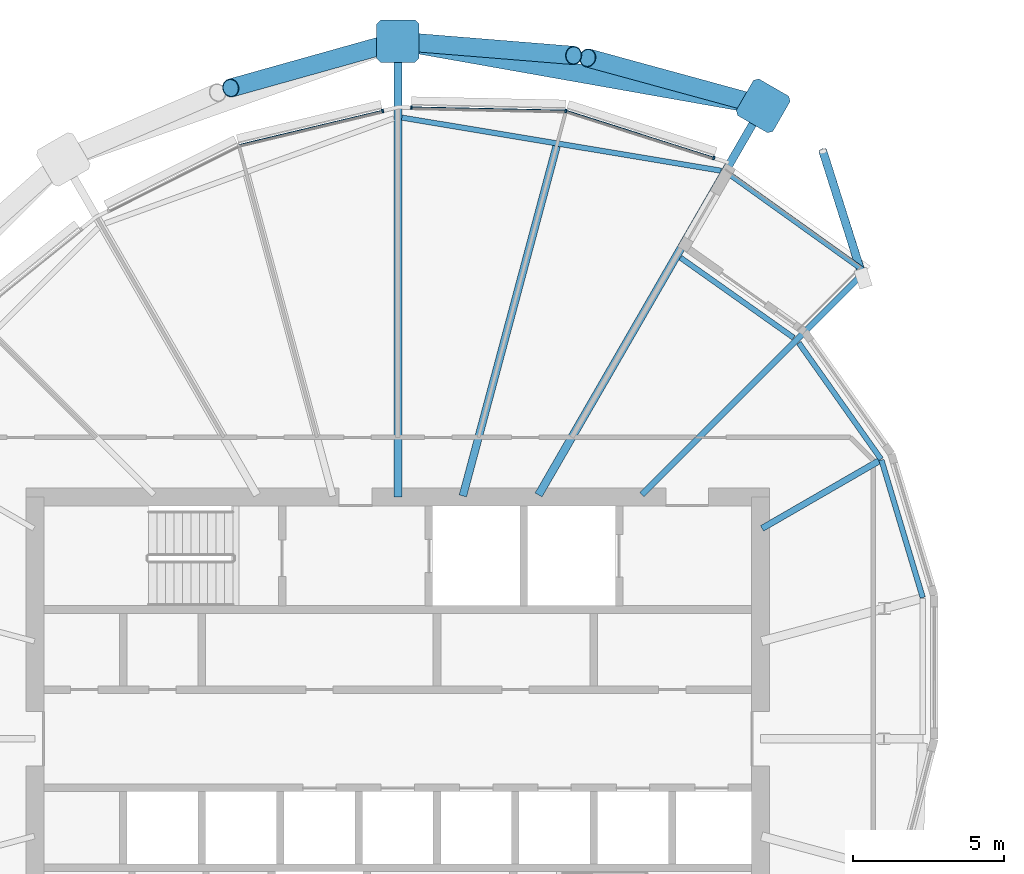
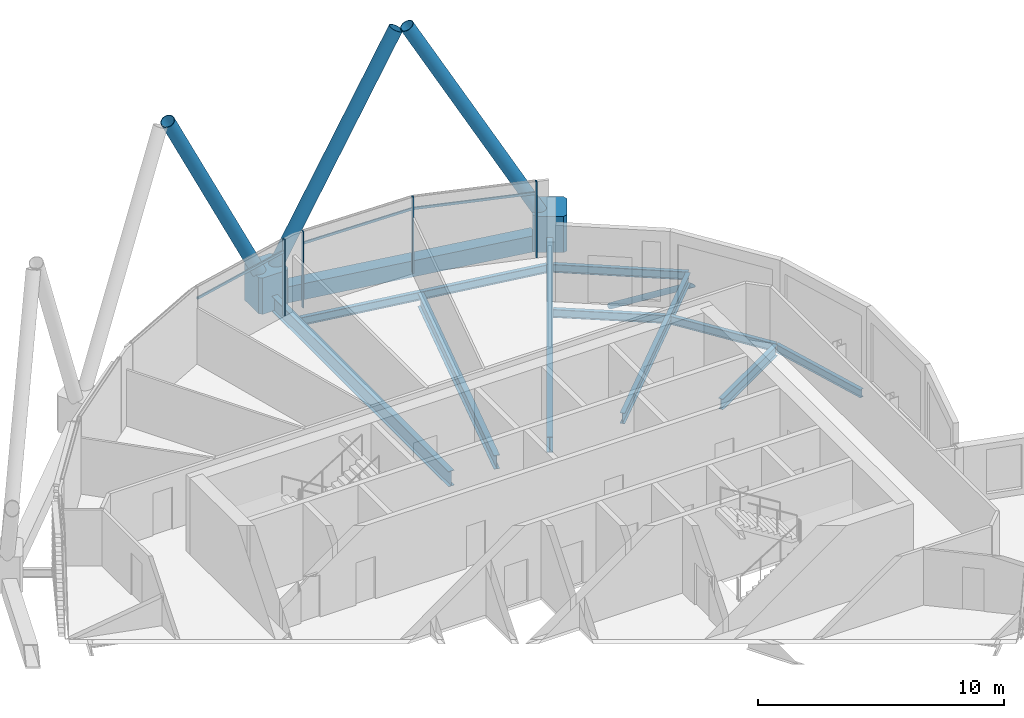
# One storey, part 18 of 37: 13 members, 11 beams, 1 element without a shape of its own.
"""IFC4 building model written with IfcOpenShell, lengths in metres."""

from ifc_helpers import new_model, si_unit, direction, frame, origin, origin_2d, place, context, subcontext, project, spatial, polyline, rectangle, hollow_rectangle, hollow_circle, i_section, outline, extrude, clip, halfspace, material, material_profile, profile_set, type_object, element, aggregate, save


model = new_model("IFC4")

# Units and contexts
model_context = context("Model", 3, precision=1e-05, world=origin(), true_north=direction((0.0, 1.0)))
body_context = subcontext(model_context, "Body", "Model", "MODEL_VIEW")
ifc_project = project(units=[si_unit("LENGTHUNIT", "METRE"), si_unit("AREAUNIT", "SQUARE_METRE"), si_unit("VOLUMEUNIT", "CUBIC_METRE"), si_unit("PLANEANGLEUNIT", "RADIAN"), si_unit("MASSUNIT", "GRAM", prefix="KILO")], contexts=[model_context])

# Site, building, storey
site_placement = place(None, origin())
site = spatial("IfcSite", under=ifc_project, at=site_placement, CompositionType="ELEMENT")
building_placement = place(site_placement, origin())
building = spatial("IfcBuilding", under=site, at=building_placement, Name="Rimbun Link Towers", CompositionType="ELEMENT")
storey_placement = place(building_placement, frame((0.0, 0.0, 170.300048828125)))
storey = spatial("IfcBuildingStorey", under=building, at=storey_placement, Name="L41", CompositionType="ELEMENT", Elevation=170.300048828125)

# Curtain wall, members
ifc_material_1 = material(Name="Aluminium 6063-T6 and low-iron glass", Category="aluminium")
curtain_wall_type = type_object("IfcCurtainWallType", Name="CW1-Z3 unitised vision wall (zone 3)", PredefinedType="NOTDEFINED", material=ifc_material_1)
curtain_wall_placement = place(storey_placement, origin())
curtain_wall = element("IfcCurtainWall", 1, at=curtain_wall_placement, inside=storey, type_object=curtain_wall_type, Name="CW1 L41 T2", PredefinedType="NOTDEFINED")
ifc_material_2 = material(Name="Aluminium 6063-T6", Category="aluminium")
ifc_material_profile_1 = material_profile(ifc_material_2, rectangle(XDim=0.1201171875, YDim=0.06005859375, at=origin_2d()), Name="MULLION 60X120")
ifc_profile_set_1 = profile_set([ifc_material_profile_1], Name="Aluminium 6063-T6")
member_type_1 = type_object("IfcMemberType", Name="CW1 mullion 60X120", PredefinedType="MULLION", material=ifc_profile_set_1)
member_1_placement = place(storey_placement, frame((37.310791015625, 20.775390625, 0.0), z_axis=(0.0, 0.0, 1.0), x_axis=(0.163742714165, 0.986503078332, 0.0)))
member_1 = element("IfcMember", 2, at=member_1_placement, type_object=member_type_1, Name="CW1 mullion", PredefinedType="MULLION", context=body_context, shape_type="SweptSolid", body=[
    extrude(rectangle(XDim=0.1201171875, YDim=0.06005859375, at=origin_2d()), origin(), (0.0, 0.0, 1.0), 3.800048828125),
])
member_2_placement = place(storey_placement, frame((42.210205078125, 19.2177734375, 0.0), z_axis=(0.0, 0.0, 1.0), x_axis=(0.303067824946, 0.952968988731, 0.0)))
member_2 = element("IfcMember", 3, at=member_2_placement, type_object=member_type_1, Name="CW1 mullion", PredefinedType="MULLION", context=body_context, shape_type="SweptSolid", body=[
    extrude(rectangle(XDim=0.1201171875, YDim=0.06005859375, at=origin_2d()), origin(), (0.0, 0.0, 1.0), 3.800048828125),
])
member_3_placement = place(storey_placement, frame((32.201171875, 20.883544921875, 0.0), z_axis=(0.0, 0.0, 1.0), x_axis=(0.021054979477, 0.999778319348, 0.0)))
member_3 = element("IfcMember", 4, at=member_3_placement, type_object=member_type_1, Name="CW1 mullion", PredefinedType="MULLION", context=body_context, shape_type="SweptSolid", body=[
    extrude(rectangle(XDim=0.1201171875, YDim=0.06005859375, at=origin_2d()), origin(), (0.0, 0.0, 1.0), 3.800048828125),
])
member_4_placement = place(storey_placement, frame((31.249755859375, 20.775146484375, 0.0), z_axis=(0.0, 0.0, 1.0), x_axis=(-0.232594562001, 0.972573786264, 0.0)))
member_4 = element("IfcMember", 5, at=member_4_placement, type_object=member_type_1, Name="CW1 mullion", PredefinedType="MULLION", context=body_context, shape_type="SweptSolid", body=[
    extrude(rectangle(XDim=0.1201171875, YDim=0.06005859375, at=origin_2d()), origin(), (0.0, 0.0, 1.0), 3.800048828125),
])
ifc_material_3 = material(Name="Aluminium 6063-T6", Category="aluminium")
ifc_material_profile_2 = material_profile(ifc_material_3, rectangle(XDim=0.06005859375, YDim=0.1201171875, at=origin_2d()), Name="TRANSOM 60X120")
ifc_profile_set_2 = profile_set([ifc_material_profile_2], Name="Aluminium 6063-T6")
member_type_2 = type_object("IfcMemberType", Name="CW1 transom 60X120", PredefinedType="USERDEFINED", material=ifc_profile_set_2)
member_5_placement = place(storey_placement, frame((37.34716796875, 20.762451171875, 3.199951171875), z_axis=(0.952967489395, -0.30307253943, 0.0), x_axis=(0.30307253943, 0.952967489395, 0.0)))
member_5 = element("IfcMember", 6, at=member_5_placement, type_object=member_type_2, Name="CW1 transom", ObjectType="TRANSOM", PredefinedType="USERDEFINED", context=body_context, shape_type="SweptSolid", body=[
    extrude(rectangle(XDim=0.06005859375, YDim=0.1201171875, at=origin_2d()), origin(), (0.0, 0.0, 1.0), 5.072509765625),
])
member_6_placement = place(storey_placement, frame((32.231201171875, 20.880859375, 3.199951171875), z_axis=(0.999779174305, -0.021014343358, 0.0), x_axis=(0.021014343358, 0.999779174305, 0.0)))
member_6 = element("IfcMember", 7, at=member_6_placement, type_object=member_type_2, Name="CW1 transom", ObjectType="TRANSOM", PredefinedType="USERDEFINED", context=body_context, shape_type="SweptSolid", body=[
    extrude(rectangle(XDim=0.06005859375, YDim=0.1201171875, at=origin_2d()), origin(), (0.0, 0.0, 1.0), 5.042236328125),
])
member_7_placement = place(storey_placement, frame((26.519775390625, 19.641845703125, 3.199951171875), z_axis=(0.972575414488, 0.23258775362, 0.0), x_axis=(-0.23258775362, 0.972575414488, 0.0)))
member_7 = element("IfcMember", 8, at=member_7_placement, type_object=member_type_2, Name="CW1 transom", ObjectType="TRANSOM", PredefinedType="USERDEFINED", context=body_context, shape_type="SweptSolid", body=[
    extrude(rectangle(XDim=0.06005859375, YDim=0.1201171875, at=origin_2d()), origin(), (0.0, 0.0, 1.0), 4.833740234375),
])
aggregate(curtain_wall, [member_1, member_2, member_3, member_4, member_5, member_6, member_7])

# Members
ifc_material_4 = material(Name="Steel S355J2H", Category="steel")
ifc_material_profile_3 = material_profile(ifc_material_4, hollow_circle(Radius=0.3046875, WallThickness=0.02490234375, at=origin_2d()), Name="Diagrid diagonal CHS 610x25")
ifc_profile_set_3 = profile_set([ifc_material_profile_3], Name="Steel S355J2H")
member_type_3 = type_object("IfcMemberType", Name="Diagrid diagonal CHS 610x25", PredefinedType="BRACE", material=ifc_profile_set_3)
member_8_placement = place(storey_placement, frame((43.609130859375, 21.006103515625, 0.438232421875), z_axis=(-0.464255548715, 0.126836999314, 0.876572393526), x_axis=(-0.263546433796, -0.964646711099, 0.0)))
element("IfcMember", 9, at=member_8_placement, inside=storey, type_object=member_type_3, Name="Diagrid diagonal T2 L41-L44 01b", PredefinedType="BRACE", context=body_context, shape_type="SweptSolid", body=[
    extrude(hollow_circle(Radius=0.3046875, WallThickness=0.02490234375, at=origin_2d()), origin(), (0.0, 0.0, 1.0), 12.005126953125),
])
member_9_placement = place(storey_placement, frame((31.984375, 23.064208984375, 0.441162109375), z_axis=(0.468652183395, -0.038023188161, 0.882564087282), x_axis=(0.080867344137, 0.996724873098, 0.0)))
element("IfcMember", 10, at=member_9_placement, inside=storey, type_object=member_type_3, Name="Diagrid diagonal T2 L41-L44 03a", PredefinedType="BRACE", context=body_context, shape_type="SweptSolid", body=[
    extrude(hollow_circle(Radius=0.3046875, WallThickness=0.02490234375, at=origin_2d()), origin(), (0.0, 0.0, 1.0), 11.9169921875),
])
member_10_placement = place(storey_placement, frame((31.526611328125, 23.0205078125, 0.44287109375), z_axis=(-0.446994714804, -0.125271225171, 0.885721652147), x_axis=(0.269855052953, -0.962900955652, 0.0)))
element("IfcMember", 11, at=member_10_placement, inside=storey, type_object=member_type_3, Name="Diagrid diagonal T2 L41-L44 03b", PredefinedType="BRACE", context=body_context, shape_type="SweptSolid", body=[
    extrude(hollow_circle(Radius=0.3046875, WallThickness=0.02490234375, at=origin_2d()), origin(), (0.0, 0.0, 1.0), 11.87060546875),
])
ifc_material_5 = material(Name="Cast steel G20Mn5+QT, Rp0.2 300 MPa", Category="steel")
ifc_material_profile_4 = material_profile(ifc_material_5, outline(polyline([(0.699951171875, -0.570068359375), (0.699951171875, 0.570068359375), (0.570068359375, 0.699951171875), (-0.570068359375, 0.699951171875), (-0.699951171875, 0.570068359375), (-0.699951171875, -0.570068359375), (-0.570068359375, -0.699951171875), (0.570068359375, -0.699951171875), (0.699951171875, -0.570068359375)])), Name="NODE 1400x1400")
ifc_profile_set_4 = profile_set([ifc_material_profile_4], Name="Cast steel G20Mn5+QT, Rp0.2 300 MPa")
member_type_4 = type_object("IfcMemberType", Name="Diagrid node cast 1400", PredefinedType="USERDEFINED", material=ifc_profile_set_4)
for number, where, z_axis, x_axis, name in (
    (12, (43.84130859375, 20.942626953125, -0.900146484375), (0.0, 0.0, 1.0), (0.5, 0.866025403784, 0.0), "Diagrid node L41 01"),
    (13, (31.75, 23.0830078125, -0.900146484375), (0.0, 0.0, 1.0), (0.0, 1.0, 0.0), "Diagrid node L41 03"),
):
    element("IfcMember", number, at=place(storey_placement, frame(where, z_axis=z_axis, x_axis=x_axis)), inside=storey, type_object=member_type_4, Name=name, ObjectType="Diagrid node", PredefinedType="USERDEFINED", context=body_context, shape_type="SweptSolid", body=[
        extrude(outline(polyline([(0.699951171875, -0.570068359375), (0.699951171875, 0.570068359375), (0.570068359375, 0.699951171875), (-0.570068359375, 0.699951171875), (-0.699951171875, 0.570068359375), (-0.699951171875, -0.570068359375), (-0.570068359375, -0.699951171875), (0.570068359375, -0.699951171875), (0.699951171875, -0.570068359375)])), origin(), (0.0, 0.0, 1.0), 1.800048828125),
    ])

# Beam
ifc_material_6 = material(Name="Steel S355J2", Category="steel")
ifc_material_profile_5 = material_profile(ifc_material_6, hollow_rectangle(XDim=0.60009765625, YDim=0.800048828125, WallThickness=0.0400390625, at=origin_2d()), Name="Exoskeleton ring girder BOX 600x800x40")
ifc_profile_set_5 = profile_set([ifc_material_profile_5], Name="Steel S355J2")
beam_type_1 = type_object("IfcBeamType", Name="Exoskeleton ring girder BOX 600x800x40", PredefinedType="BEAM", material=ifc_profile_set_5)
beam_1_placement = place(storey_placement, frame((43.15185546875, 21.064697265625, -0.56005859375), z_axis=(-0.984688753872, 0.174321708336, 0.0), x_axis=(-0.174321708336, -0.984688753872, 0.0)))
element("IfcBeam", 14, at=beam_1_placement, inside=storey, type_object=beam_type_1, Name="Exoskeleton ring girder L41 00", PredefinedType="BEAM", context=body_context, shape_type="SweptSolid", body=[
    extrude(hollow_rectangle(XDim=0.60009765625, YDim=0.800048828125, WallThickness=0.0400390625, at=origin_2d()), origin(), (0.0, 0.0, 1.0), 10.879150390625),
])

# Member
ifc_material_7 = material(Name="Steel S355J2H", Category="steel")
ifc_material_profile_6 = material_profile(ifc_material_7, hollow_circle(Radius=0.136474609375, WallThickness=0.012451171875, at=origin_2d()), Name="CHS 273x12.5")
ifc_profile_set_6 = profile_set([ifc_material_profile_6], Name="Steel S355J2H")
member_type_5 = type_object("IfcMemberType", Name="Floor edge link CHS 273x12.5", PredefinedType="BRACE", material=ifc_profile_set_6)
member_11_placement = place(storey_placement, frame((47.111083984375, 15.361083984375, -0.79541015625), z_axis=(-0.246921978772, 0.778957900253, -0.576414890537), x_axis=(-0.953253436817, -0.302171946409, 0.0)))
element("IfcMember", 15, at=member_11_placement, inside=storey, type_object=member_type_5, Name="Floor edge link T2 L41 00", PredefinedType="BRACE", context=body_context, shape_type="Clipping", body=[
    clip(extrude(hollow_circle(Radius=0.136474609375, WallThickness=0.012451171875, at=origin_2d()), frame((0.0, 0.0, -0.404296875)), (0.0, 0.0, 1.0), 5.652587890625), halfspace(frame((0.0, 0.0, -0.19140625), z_axis=(0.0, 0.817157190489, -0.576414890537)), False)),
])

# Beams
ifc_material_8 = material(Name="Steel S355J2", Category="steel")
ifc_material_profile_7 = material_profile(ifc_material_8, i_section(OverallWidth=0.177978515625, OverallDepth=0.406494140625, WebThickness=0.0078125, FlangeThickness=0.0126953125, at=origin_2d()), Name="UB 406x178x60")
ifc_profile_set_7 = profile_set([ifc_material_profile_7], Name="Steel S355J2")
beam_type_2 = type_object("IfcBeamType", Name="UB 406x178x60", PredefinedType="BEAM", material=ifc_profile_set_7)
beam_2_placement = place(storey_placement, frame((44.84814453125, 13.268798828125, -0.353271484375), z_axis=(-0.816340336234, 0.577571169154, 0.0), x_axis=(-0.577571169154, -0.816340336234, 0.0)))
element("IfcBeam", 16, at=beam_2_placement, inside=storey, type_object=beam_type_2, Name="Edge beam T2 L41 00 recess", PredefinedType="BEAM", context=body_context, shape_type="SweptSolid", body=[
    extrude(i_section(OverallWidth=0.177978515625, OverallDepth=0.406494140625, WebThickness=0.0078125, FlangeThickness=0.0126953125, at=origin_2d()), origin(), (0.0, 0.0, 1.0), 4.5859375),
])
beam_3_placement = place(storey_placement, frame((47.210205078125, 15.46142578125, -0.353271484375), z_axis=(-0.81293496381, 0.58235448364, 0.0), x_axis=(-0.58235448364, -0.81293496381, 0.0)))
element("IfcBeam", 17, at=beam_3_placement, inside=storey, type_object=beam_type_2, Name="Edge beam T2 L41 00 terrace", PredefinedType="BEAM", context=body_context, shape_type="SweptSolid", body=[
    extrude(i_section(OverallWidth=0.177978515625, OverallDepth=0.406494140625, WebThickness=0.0078125, FlangeThickness=0.0126953125, at=origin_2d()), origin(), (0.0, 0.0, 1.0), 5.541748046875),
])
beam_4_placement = place(storey_placement, frame((42.44677734375, 18.7958984375, -0.353271484375), z_axis=(-0.986433333852, 0.164162352157, 0.0), x_axis=(-0.164162352157, -0.986433333852, 0.0)))
element("IfcBeam", 18, at=beam_4_placement, inside=storey, type_object=beam_type_2, Name="Edge beam T2 L41 01-03", PredefinedType="BEAM", context=body_context, shape_type="SweptSolid", body=[
    extrude(i_section(OverallWidth=0.177978515625, OverallDepth=0.406494140625, WebThickness=0.0078125, FlangeThickness=0.0126953125, at=origin_2d()), origin(), (0.0, 0.0, 1.0), 10.707763671875),
])
beam_5_placement = place(storey_placement, frame((49.121337890625, 4.669189453125, -0.353271484375), z_axis=(-0.287413840824, 0.957806496169, 0.0), x_axis=(-0.957806496169, -0.287413840824, 0.0)))
element("IfcBeam", 19, at=beam_5_placement, inside=storey, type_object=beam_type_2, Name="Edge beam T2 L41 22 recess", PredefinedType="BEAM", context=body_context, shape_type="SweptSolid", body=[
    extrude(i_section(OverallWidth=0.177978515625, OverallDepth=0.406494140625, WebThickness=0.0078125, FlangeThickness=0.0126953125, at=origin_2d()), origin(), (0.0, 0.0, 1.0), 4.75439453125),
])
beam_6_placement = place(storey_placement, frame((47.7412109375, 9.25048828125, -0.353271484375), z_axis=(-0.577591865558, 0.816325692871, 0.0), x_axis=(-0.816325692871, -0.577591865558, 0.0)))
element("IfcBeam", 20, at=beam_6_placement, inside=storey, type_object=beam_type_2, Name="Edge beam T2 L41 23 recess", PredefinedType="BEAM", context=body_context, shape_type="SweptSolid", body=[
    extrude(i_section(OverallWidth=0.177978515625, OverallDepth=0.406494140625, WebThickness=0.0078125, FlangeThickness=0.0126953125, at=origin_2d()), origin(), (0.0, 0.0, 1.0), 4.71337890625),
])
ifc_material_9 = material(Name="Steel S355J2", Category="steel")
ifc_material_profile_8 = material_profile(ifc_material_9, i_section(OverallWidth=0.209228515625, OverallDepth=0.533203125, WebThickness=0.010009765625, FlangeThickness=0.015625, at=origin_2d()), Name="UB 533x210x92")
ifc_profile_set_8 = profile_set([ifc_material_profile_8], Name="Steel S355J2")
beam_type_3 = type_object("IfcBeamType", Name="UB 533x210x92", PredefinedType="BEAM", material=ifc_profile_set_8)
beam_7_placement = place(storey_placement, frame((39.82470703125, 8.07470703125, -0.41650390625), z_axis=(0.707106781187, 0.707106781187, 0.0), x_axis=(-0.707106781187, 0.707106781187, 0.0)))
element("IfcBeam", 21, at=beam_7_placement, inside=storey, type_object=beam_type_3, Name="Radial beam T2 L41 00", PredefinedType="BEAM", context=body_context, shape_type="SweptSolid", body=[
    extrude(i_section(OverallWidth=0.209228515625, OverallDepth=0.533203125, WebThickness=0.010009765625, FlangeThickness=0.015625, at=origin_2d()), origin(), (0.0, 0.0, 1.0), 10.3544921875),
])
beam_8_placement = place(storey_placement, frame((43.80322265625, 6.958984375, -0.41650390625), z_axis=(0.866031786259, 0.499988945067, 0.0), x_axis=(-0.499988945067, 0.866031786259, 0.0)))
element("IfcBeam", 22, at=beam_8_placement, inside=storey, type_object=beam_type_3, Name="Radial beam T2 L41 23", PredefinedType="BEAM", context=body_context, shape_type="SweptSolid", body=[
    extrude(i_section(OverallWidth=0.209228515625, OverallDepth=0.533203125, WebThickness=0.010009765625, FlangeThickness=0.015625, at=origin_2d()), origin(), (0.0, 0.0, 1.0), 4.46728515625),
])
ifc_material_10 = material(Name="Steel S355J2", Category="steel")
ifc_material_profile_9 = material_profile(ifc_material_10, i_section(OverallWidth=0.253662109375, OverallDepth=0.68359375, WebThickness=0.012451171875, FlangeThickness=0.01904296875, at=origin_2d()), Name="UB 686x254x140")
ifc_profile_set_9 = profile_set([ifc_material_profile_9], Name="Steel S355J2")
beam_type_4 = type_object("IfcBeamType", Name="UB 686x254x140", PredefinedType="BEAM", material=ifc_profile_set_9)
beam_9_placement = place(storey_placement, frame((33.902587890625, 8.03369140625, -0.49169921875), z_axis=(0.25882636602, 0.965923864625, 0.0), x_axis=(-0.965923864625, 0.25882636602, 0.0)))
element("IfcBeam", 23, at=beam_9_placement, inside=storey, type_object=beam_type_4, Name="Radial beam T2 L41 02", PredefinedType="BEAM", context=body_context, shape_type="SweptSolid", body=[
    extrude(i_section(OverallWidth=0.253662109375, OverallDepth=0.68359375, WebThickness=0.012451171875, FlangeThickness=0.01904296875, at=origin_2d()), origin(), (0.0, 0.0, 1.0), 11.985107421875),
])
ifc_material_11 = material(Name="Steel S355J2", Category="steel")
ifc_material_profile_10 = material_profile(ifc_material_11, i_section(OverallWidth=0.2666015625, OverallDepth=0.76220703125, WebThickness=0.014404296875, FlangeThickness=0.021484375, at=origin_2d()), Name="UB 762x267x173")
ifc_profile_set_10 = profile_set([ifc_material_profile_10], Name="Steel S355J2")
beam_type_5 = type_object("IfcBeamType", Name="UB 762x267x173", PredefinedType="BEAM", material=ifc_profile_set_10)
beam_10_placement = place(storey_placement, frame((36.40771484375, 8.0673828125, -0.53125), z_axis=(0.500006349875, 0.866021737652, 0.0), x_axis=(-0.866021737652, 0.500006349875, 0.0)))
element("IfcBeam", 24, at=beam_10_placement, inside=storey, type_object=beam_type_5, Name="Radial beam T2 L41 01", PredefinedType="BEAM", context=body_context, shape_type="SweptSolid", body=[
    extrude(i_section(OverallWidth=0.2666015625, OverallDepth=0.76220703125, WebThickness=0.014404296875, FlangeThickness=0.021484375, at=origin_2d()), origin(), (0.0, 0.0, 1.0), 14.366943359375),
])
beam_11_placement = place(storey_placement, frame((31.75, 8.0009765625, -0.53125), z_axis=(0.0, 1.0, 0.0), x_axis=(-1.0, 0.0, 0.0)))
element("IfcBeam", 25, at=beam_11_placement, inside=storey, type_object=beam_type_5, Name="Radial beam T2 L41 03", PredefinedType="BEAM", context=body_context, shape_type="SweptSolid", body=[
    extrude(i_section(OverallWidth=0.2666015625, OverallDepth=0.76220703125, WebThickness=0.014404296875, FlangeThickness=0.021484375, at=origin_2d()), origin(), (0.0, 0.0, 1.0), 14.58203125),
])

save(model, "model.ifc")
